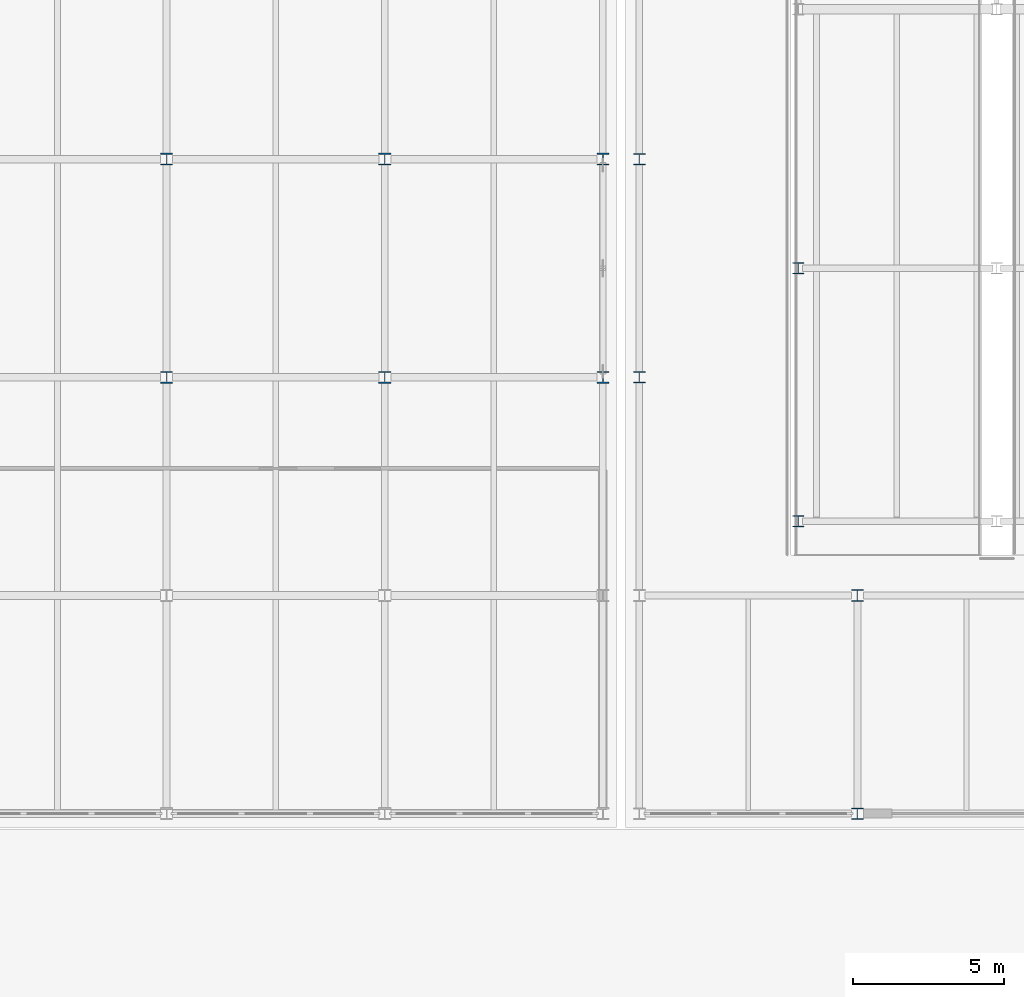
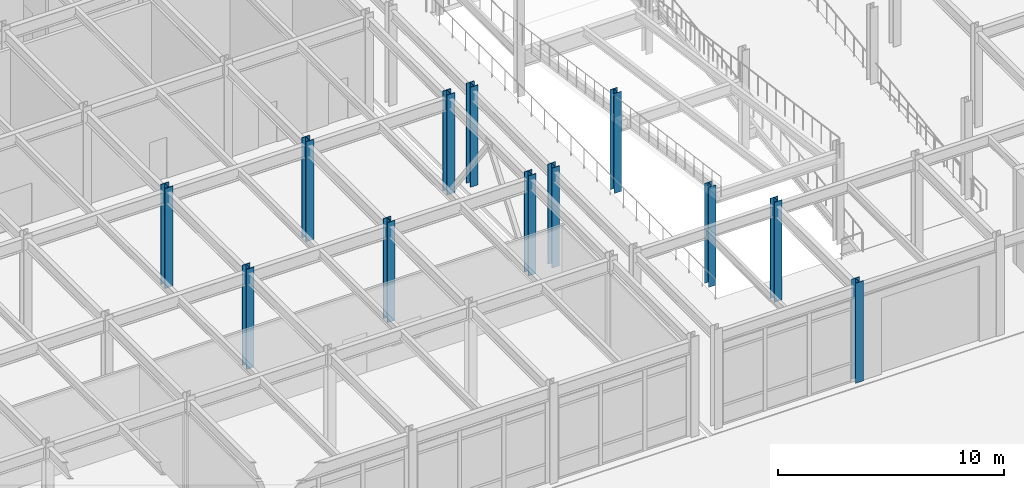
# One storey, part 9 of 104: 12 columns.
"""IFC4 building model written with IfcOpenShell, lengths in metres."""

from ifc_helpers import new_model, si_unit, direction, frame, origin, origin_2d, place, context, subcontext, project, spatial, i_section, extrude, material, material_profile, profile_set, type_object, element, save


model = new_model("IFC4")

# Units and contexts
model_context = context("Model", 3, precision=1e-05, world=origin(), true_north=direction((0.0, 1.0)))
body_context = subcontext(model_context, "Body", "Model", "MODEL_VIEW")
ifc_project = project(units=[si_unit("LENGTHUNIT", "METRE"), si_unit("AREAUNIT", "SQUARE_METRE"), si_unit("VOLUMEUNIT", "CUBIC_METRE"), si_unit("PLANEANGLEUNIT", "RADIAN"), si_unit("MASSUNIT", "GRAM", prefix="KILO")], contexts=[model_context])

# Site, building, storey
site_placement = place(None, origin())
site = spatial("IfcSite", under=ifc_project, at=site_placement, CompositionType="ELEMENT")
building_placement = place(site_placement, origin())
building = spatial("IfcBuilding", under=site, at=building_placement, Name="Vaelcorin Mobility Hub", CompositionType="ELEMENT")
storey_placement = place(building_placement, origin())
storey = spatial("IfcBuildingStorey", under=building, at=storey_placement, Name="L00", CompositionType="ELEMENT", Elevation=0.0)

# Columns
ifc_material = material(Name="Steel ASTM A992 Grade 50", Category="steel")
ifc_material_profile_1 = material_profile(ifc_material, i_section(OverallWidth=0.373046875, OverallDepth=0.373046875, WebThickness=0.016357421875, FlangeThickness=0.026123046875, FilletRadius=0.014892578125, at=origin_2d()), Name="W14X132")
ifc_profile_set_1 = profile_set([ifc_material_profile_1], Name="Steel ASTM A992 Grade 50")
column_type_1 = type_object("IfcColumnType", Name="COL-W14X132", PredefinedType="COLUMN", material=ifc_profile_set_1)
for number, where, z_axis, x_axis, name in (
    (1, (128.85009765625, 86.449951171875, 0.0), (0.0, 0.0, 1.0), (1.0, 0.0, 0.0), "Column V2E-RDRM-WS L00"),
    (2, (128.85009765625, 94.800048828125, 0.0), (0.0, 0.0, 1.0), (1.0, 0.0, 0.0), "Column V2E-RDRM-WC L00"),
):
    element("IfcColumn", number, at=place(storey_placement, frame(where, z_axis=z_axis, x_axis=x_axis)), inside=storey, type_object=column_type_1, Name=name, PredefinedType="COLUMN", context=body_context, shape_type="SweptSolid", body=[
        extrude(i_section(OverallWidth=0.373046875, OverallDepth=0.373046875, WebThickness=0.016357421875, FlangeThickness=0.026123046875, FilletRadius=0.014892578125, at=origin_2d()), origin(), (0.0, 0.0, 1.0), 5.39990234375),
    ])
ifc_material_profile_2 = material_profile(ifc_material, i_section(OverallWidth=0.39599609375, OverallDepth=0.381103515625, WebThickness=0.018798828125, FlangeThickness=0.0302734375, FilletRadius=0.014892578125, at=origin_2d()), Name="W14X159")
ifc_profile_set_2 = profile_set([ifc_material_profile_2], Name="Steel ASTM A992 Grade 50")
column_type_2 = type_object("IfcColumnType", Name="COL-W14X159", PredefinedType="COLUMN", material=ifc_profile_set_2)
for number, where, z_axis, x_axis, name in (
    (3, (123.60009765625, 91.199951171875, 0.0), (0.0, 0.0, 1.0), (1.0, 0.0, 0.0), "Column V2E-G1x3 L00"),
    (4, (123.60009765625, 98.39990234375, 0.0), (0.0, 0.0, 1.0), (1.0, 0.0, 0.0), "Column V2E-G1x4 L00"),
    (5, (130.800048828125, 76.800048828125, 0.0), (0.0, 0.0, 1.0), (1.0, 0.0, 0.0), "Column V2E-G2x1 L00"),
    (6, (130.800048828125, 84.0, 0.0), (0.0, 0.0, 1.0), (1.0, 0.0, 0.0), "Column V2E-G2x2 L00"),
):
    element("IfcColumn", number, at=place(storey_placement, frame(where, z_axis=z_axis, x_axis=x_axis)), inside=storey, type_object=column_type_2, Name=name, PredefinedType="COLUMN", context=body_context, shape_type="SweptSolid", body=[
        extrude(i_section(OverallWidth=0.39599609375, OverallDepth=0.381103515625, WebThickness=0.018798828125, FlangeThickness=0.0302734375, FilletRadius=0.014892578125, at=origin_2d()), origin(), (0.0, 0.0, 1.0), 5.39990234375),
    ])
ifc_material_profile_3 = material_profile(ifc_material, i_section(OverallWidth=0.39892578125, OverallDepth=0.39404296875, WebThickness=0.022705078125, FlangeThickness=0.03662109375, FilletRadius=0.014892578125, at=origin_2d()), Name="W14X193")
ifc_profile_set_3 = profile_set([ifc_material_profile_3], Name="Steel ASTM A992 Grade 50")
column_type_3 = type_object("IfcColumnType", Name="COL-W14X193", PredefinedType="COLUMN", material=ifc_profile_set_3)
for number, where, z_axis, x_axis, name in (
    (7, (108.0, 91.199951171875, 0.0), (0.0, 0.0, 1.0), (1.0, 0.0, 0.0), "Column V4-X11Y03 L00"),
    (8, (108.0, 98.39990234375, 0.0), (0.0, 0.0, 1.0), (1.0, 0.0, 0.0), "Column V4-X11Y04 L00"),
    (9, (115.199951171875, 91.199951171875, 0.0), (0.0, 0.0, 1.0), (1.0, 0.0, 0.0), "Column V4-X12Y03 L00"),
    (10, (115.199951171875, 98.39990234375, 0.0), (0.0, 0.0, 1.0), (1.0, 0.0, 0.0), "Column V4-X12Y04 L00"),
    (11, (122.39990234375, 91.199951171875, 0.0), (0.0, 0.0, 1.0), (1.0, 0.0, 0.0), "Column V4-X13Y03 L00"),
    (12, (122.39990234375, 98.39990234375, 0.0), (0.0, 0.0, 1.0), (1.0, 0.0, 0.0), "Column V4-X13Y04 L00"),
):
    element("IfcColumn", number, at=place(storey_placement, frame(where, z_axis=z_axis, x_axis=x_axis)), inside=storey, type_object=column_type_3, Name=name, PredefinedType="COLUMN", context=body_context, shape_type="SweptSolid", body=[
        extrude(i_section(OverallWidth=0.39892578125, OverallDepth=0.39404296875, WebThickness=0.022705078125, FlangeThickness=0.03662109375, FilletRadius=0.014892578125, at=origin_2d()), origin(), (0.0, 0.0, 1.0), 5.39990234375),
    ])

save(model, "model.ifc")
